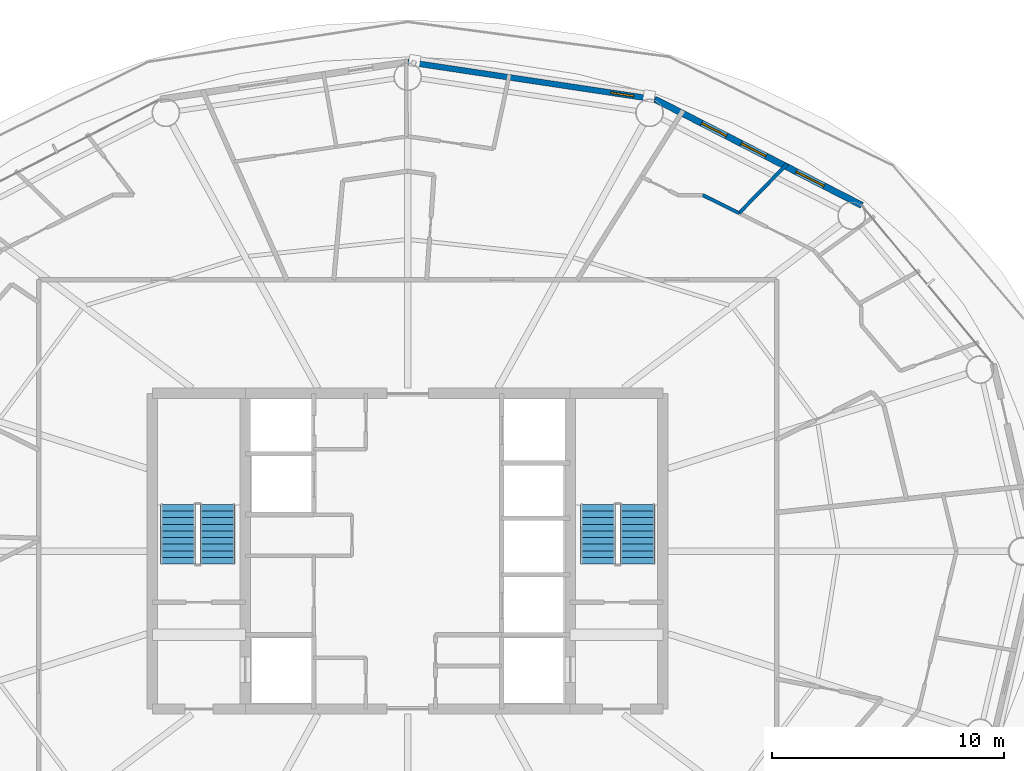
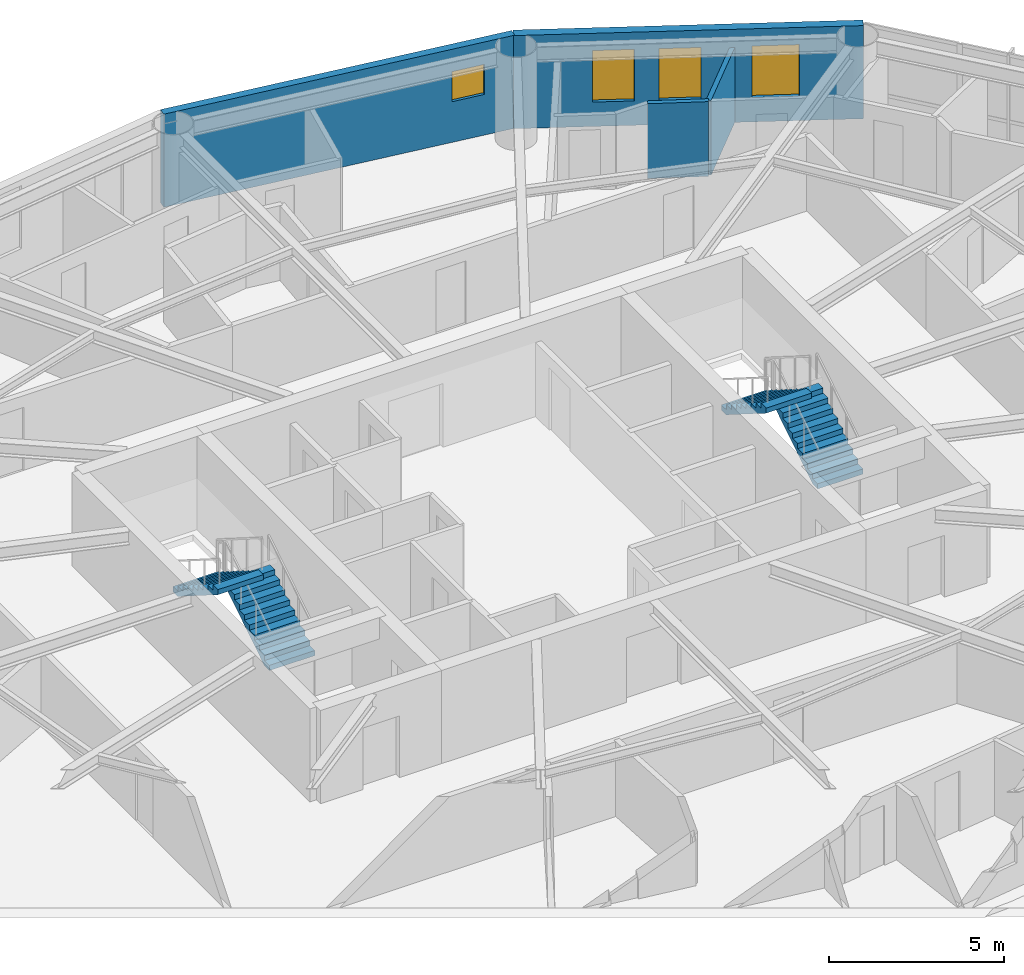
# One storey, part 25 of 28: 4 stair flights, 4 walls, 4 windows, 4 openings, 2 elements without a shape of their own.
"""IFC4 building model written with IfcOpenShell, lengths in metres."""

from ifc_helpers import new_model, si_unit, direction, frame, frame_2d, origin, place, context, subcontext, project, spatial, polyline, rectangle, outline, extrude, material, layer, layer_set, type_object, element, fill, aggregate, save


model = new_model("IFC4")

# Units and contexts
model_context = context("Model", 3, precision=1e-05, world=origin(), true_north=direction((0.0, 1.0)))
body_context = subcontext(model_context, "Body", "Model", "MODEL_VIEW")
ifc_project = project(units=[si_unit("LENGTHUNIT", "METRE"), si_unit("AREAUNIT", "SQUARE_METRE"), si_unit("VOLUMEUNIT", "CUBIC_METRE"), si_unit("PLANEANGLEUNIT", "RADIAN"), si_unit("MASSUNIT", "GRAM", prefix="KILO")], contexts=[model_context])

# Site, building, storey
site_placement = place(None, origin())
site = spatial("IfcSite", under=ifc_project, at=site_placement, CompositionType="ELEMENT")
building_placement = place(site_placement, origin())
building = spatial("IfcBuilding", under=site, at=building_placement, Name="Sarneth Arch Tower", CompositionType="ELEMENT")
storey_placement = place(building_placement, frame((0.0, 0.0, 197.39990234375)))
storey = spatial("IfcBuildingStorey", under=building, at=storey_placement, Name="L50", CompositionType="ELEMENT", Elevation=197.39990234375)

# Wall, opening, window
ifc_material_1 = material(Name="Extruded terracotta rainscreen on Concrete C40/50 backing", Category="masonry")
ifc_layer_1 = layer(ifc_material_1, 0.25)
ifc_layer_set_1 = layer_set([ifc_layer_1], Name="Extruded terracotta rainscreen on Concrete C40/50 backing")
wall_type_1 = type_object("IfcWallType", Name="WALL-EXT-SPAND-250", PredefinedType="SOLIDWALL", material=ifc_layer_set_1)
wall_1_placement = place(storey_placement, frame((58.662841796875, 61.475341796875, 0.0), z_axis=(0.0, 0.0, 1.0), x_axis=(-0.988863993413, 0.148822049884, 0.0)))
wall_1 = element("IfcWall", 1, at=wall_1_placement, inside=storey, type_object=wall_type_1, Name="L50 Terracotta perimeter wall 04", PredefinedType="SOLIDWALL", context=body_context, shape_type="SweptSolid", body=[
    extrude(rectangle(XDim=10.782958984375, YDim=0.25, at=frame_2d((5.3916015625, 0.0))), origin(), (0.0, 0.0, 1.0), 3.25),
])
opening_1_placement = place(wall_1_placement, frame((0.931640625, 0.0, 1.419921875)))
opening_1 = element("IfcOpeningElement", 2, at=opening_1_placement, cuts=wall_1, Name="Opening W-14", PredefinedType="OPENING", context=body_context, shape_type="SweptSolid", body=[
    extrude(rectangle(XDim=1.0, YDim=1.050048828125, at=frame_2d((0.5, 0.52490234375))), frame((0.0, 0.135009765625, 0.0), z_axis=(0.0, -1.0, 0.0), x_axis=(1.0, 0.0, 0.0)), (0.0, 0.0, 1.0), 0.27001953125),
])
ifc_material_2 = material(Name="Thermally broken Aluminium 6063-T6 and low-e laminated IGU", Category="aluminium")
window_type_1 = type_object("IfcWindowType", Name="WIN-TWR-1000x1050", PartitioningType="SINGLE_PANEL", PredefinedType="WINDOW", material=ifc_material_2)
window_1_placement = place(opening_1_placement, origin())
window_1 = element("IfcWindow", 3, at=window_1_placement, inside=storey, type_object=window_type_1, Name="L50 Dwelling bedroom window 01", OverallHeight=1.050048828125, OverallWidth=1.0, PartitioningType="SINGLE_PANEL", PredefinedType="WINDOW", context=body_context, shape_type="SweptSolid", body=[
    extrude(rectangle(XDim=1.0, YDim=1.050048828125, at=frame_2d((0.5, 0.52490234375))), frame((0.0, 0.030029296875, 0.0), z_axis=(0.0, -1.0, 0.0), x_axis=(1.0, 0.0, 0.0)), (0.0, 0.0, 1.0), 0.06005859375),
])
fill(opening_1, window_1)

# Wall, openings, windows
ifc_material_3 = material(Name="Extruded terracotta rainscreen on Concrete C40/50 backing", Category="masonry")
ifc_layer_2 = layer(ifc_material_3, 0.280029296875)
ifc_layer_set_2 = layer_set([ifc_layer_2], Name="Extruded terracotta rainscreen on Concrete C40/50 backing")
wall_type_2 = type_object("IfcWallType", Name="WALL-EXT-TERRA-280", PredefinedType="SOLIDWALL", material=ifc_layer_set_2)
wall_2_placement = place(storey_placement, frame((67.576171875, 56.90576171875, 0.0), z_axis=(0.0, 0.0, 1.0), x_axis=(-0.889872523182, 0.456209263919, 0.0)))
wall_2 = element("IfcWall", 4, at=wall_2_placement, inside=storey, type_object=wall_type_2, Name="L50 Terracotta perimeter wall 03", PredefinedType="SOLIDWALL", context=body_context, shape_type="SweptSolid", body=[
    extrude(rectangle(XDim=10.016357421875, YDim=0.280029296875, at=frame_2d((5.00830078125, 0.0))), origin(), (0.0, 0.0, 1.0), 3.25),
])
opening_2_placement = place(wall_2_placement, frame((1.83544921875, 0.0, 0.85009765625)))
opening_2 = element("IfcOpeningElement", 5, at=opening_2_placement, cuts=wall_2, Name="Opening W-08", PredefinedType="OPENING", context=body_context, shape_type="SweptSolid", body=[
    extrude(rectangle(XDim=1.35009765625, YDim=1.800048828125, at=frame_2d((0.675048828125, 0.89990234375))), frame((0.0, 0.14990234375, 0.0), z_axis=(0.0, -1.0, 0.0), x_axis=(1.0, 0.0, 0.0)), (0.0, 0.0, 1.0), 0.300048828125),
])
opening_3_placement = place(wall_2_placement, frame((4.64501953125, 0.0, 0.85009765625)))
opening_3 = element("IfcOpeningElement", 6, at=opening_3_placement, cuts=wall_2, Name="Opening W-09", PredefinedType="OPENING", context=body_context, shape_type="SweptSolid", body=[
    extrude(rectangle(XDim=1.199951171875, YDim=1.800048828125, at=frame_2d((0.60009765625, 0.89990234375))), frame((0.0, 0.14990234375, 0.0), z_axis=(0.0, -1.0, 0.0), x_axis=(1.0, 0.0, 0.0)), (0.0, 0.0, 1.0), 0.300048828125),
])
opening_4_placement = place(wall_2_placement, frame((6.559326171875, 0.0, 0.85009765625)))
opening_4 = element("IfcOpeningElement", 7, at=opening_4_placement, cuts=wall_2, Name="Opening W-09", PredefinedType="OPENING", context=body_context, shape_type="SweptSolid", body=[
    extrude(rectangle(XDim=1.199951171875, YDim=1.800048828125, at=frame_2d((0.60009765625, 0.89990234375))), frame((0.0, 0.14990234375, 0.0), z_axis=(0.0, -1.0, 0.0), x_axis=(1.0, 0.0, 0.0)), (0.0, 0.0, 1.0), 0.300048828125),
])
ifc_material_4 = material(Name="Thermally broken Aluminium 6063-T6 and low-e laminated IGU", Category="aluminium")
window_type_2 = type_object("IfcWindowType", Name="WIN-TWR-1200x1800", PartitioningType="SINGLE_PANEL", PredefinedType="WINDOW", material=ifc_material_4)
window_2_placement = place(opening_3_placement, origin())
window_2 = element("IfcWindow", 8, at=window_2_placement, inside=storey, type_object=window_type_2, Name="L50 Exterior window 03B", OverallHeight=1.800048828125, OverallWidth=1.199951171875, PartitioningType="SINGLE_PANEL", PredefinedType="WINDOW", context=body_context, shape_type="SweptSolid", body=[
    extrude(rectangle(XDim=1.199951171875, YDim=1.800048828125, at=frame_2d((0.60009765625, 0.89990234375))), frame((0.0, 0.030029296875, 0.0), z_axis=(0.0, -1.0, 0.0), x_axis=(1.0, 0.0, 0.0)), (0.0, 0.0, 1.0), 0.06005859375),
])
fill(opening_3, window_2)
window_3_placement = place(opening_4_placement, origin())
window_3 = element("IfcWindow", 9, at=window_3_placement, inside=storey, type_object=window_type_2, Name="L50 Exterior window 03C", OverallHeight=1.800048828125, OverallWidth=1.199951171875, PartitioningType="SINGLE_PANEL", PredefinedType="WINDOW", context=body_context, shape_type="SweptSolid", body=[
    extrude(rectangle(XDim=1.199951171875, YDim=1.800048828125, at=frame_2d((0.60009765625, 0.89990234375))), frame((0.0, 0.030029296875, 0.0), z_axis=(0.0, -1.0, 0.0), x_axis=(1.0, 0.0, 0.0)), (0.0, 0.0, 1.0), 0.06005859375),
])
fill(opening_4, window_3)
ifc_material_5 = material(Name="Thermally broken Aluminium 6063-T6 and low-e laminated IGU", Category="aluminium")
window_type_3 = type_object("IfcWindowType", Name="WIN-TWR-1350x1800", PartitioningType="SINGLE_PANEL", PredefinedType="WINDOW", material=ifc_material_5)
window_4_placement = place(opening_2_placement, origin())
window_4 = element("IfcWindow", 10, at=window_4_placement, inside=storey, type_object=window_type_3, Name="L50 Exterior window 03A", OverallHeight=1.800048828125, OverallWidth=1.35009765625, PartitioningType="SINGLE_PANEL", PredefinedType="WINDOW", context=body_context, shape_type="SweptSolid", body=[
    extrude(rectangle(XDim=1.35009765625, YDim=1.800048828125, at=frame_2d((0.675048828125, 0.89990234375))), frame((0.0, 0.030029296875, 0.0), z_axis=(0.0, -1.0, 0.0), x_axis=(1.0, 0.0, 0.0)), (0.0, 0.0, 1.0), 0.06005859375),
])
fill(opening_2, window_4)

# Walls
ifc_material_6 = material(Name="Acoustic gypsum stud partition", Category="gypsum")
ifc_layer_3 = layer(ifc_material_6, 0.14990234375)
ifc_layer_set_3 = layer_set([ifc_layer_3], Name="Acoustic gypsum stud partition")
wall_type_3 = type_object("IfcWallType", Name="WALL-PART-150", PredefinedType="PARTITIONING", material=ifc_layer_set_3)
wall_3_placement = place(storey_placement, frame((64.35302734375, 58.68701171875, 0.0), z_axis=(0.0, 0.0, 1.0), x_axis=(-0.699905055024, -0.714235895172, 0.0)))
element("IfcWall", 11, at=wall_3_placement, inside=storey, type_object=wall_type_3, Name="L50 Interior partition W-L50-TP-039", PredefinedType="PARTITIONING", context=body_context, shape_type="SweptSolid", body=[
    extrude(rectangle(XDim=2.96435546875, YDim=0.14990234375, at=frame_2d((1.482177734375, 0.0))), origin(), (0.0, 0.0, 1.0), 2.610107421875),
])
wall_4_placement = place(storey_placement, frame((62.2783203125, 56.56982421875, 0.0), z_axis=(0.0, 0.0, 1.0), x_axis=(-0.894929238491, 0.446208088333, 0.0)))
element("IfcWall", 12, at=wall_4_placement, inside=storey, type_object=wall_type_3, Name="L50 Interior partition W-L50-TP-030", PredefinedType="PARTITIONING", context=body_context, shape_type="SweptSolid", body=[
    extrude(rectangle(XDim=1.748779296875, YDim=0.14990234375, at=frame_2d((0.87451171875, 0.0))), origin(), (0.0, 0.0, 1.0), 2.610107421875),
])

# Stair, stair flights
ifc_material_7 = material(Name="Concrete C50/60", Category="concrete")
stair_type = type_object("IfcStairType", Name="STAIR-CORE-RC", PredefinedType="HALF_TURN_STAIR", material=ifc_material_7)
stair_1_placement = place(storey_placement, origin())
stair_1 = element("IfcStair", 13, at=stair_1_placement, inside=storey, type_object=stair_type, Name="L50 Core Exit Stair 1", PredefinedType="HALF_TURN_STAIR")
ifc_material_8 = material(Name="Concrete C50/60", Category="concrete")
stair_flight_type = type_object("IfcStairFlightType", Name="FLIGHT-RC-1500", PredefinedType="STRAIGHT", material=ifc_material_8)
stair_flight_1_placement = place(storey_placement, frame((39.800048828125, 41.449951171875, 0.0), z_axis=(0.0, 0.0, 1.0), x_axis=(0.0, 1.0, 0.0)))
stair_flight_1 = element("IfcStairFlight", 14, at=stair_flight_1_placement, type_object=stair_flight_type, Name="ST-1 flight 1", NumberOfRisers=10, NumberOfTreads=9, PredefinedType="STRAIGHT", RiserHeight=0.18, TreadLength=0.285, context=body_context, shape_type="SweptSolid", body=[
    extrude(outline(polyline([(0.0, 0.0), (0.0, 0.179931640625), (0.284912109375, 0.179931640625), (0.284912109375, 0.360107421875), (0.570068359375, 0.360107421875), (0.570068359375, 0.5400390625), (0.85498046875, 0.5400390625), (0.85498046875, 0.719970703125), (1.139892578125, 0.719970703125), (1.139892578125, 0.89990234375), (1.425048828125, 0.89990234375), (1.425048828125, 1.080078125), (1.7099609375, 1.080078125), (1.7099609375, 1.260009765625), (1.9951171875, 1.260009765625), (1.9951171875, 1.43994140625), (2.280029296875, 1.43994140625), (2.280029296875, 1.6201171875), (2.56494140625, 1.6201171875), (2.56494140625, 1.800048828125), (2.56494140625, 1.442626953125), (0.28076171875, 0.0), (0.0, 0.0)])), frame((0.0, 0.75, 0.0), z_axis=(0.0, -1.0, 0.0), x_axis=(1.0, 0.0, 0.0)), (0.0, 0.0, 1.0), 1.5),
])
stair_flight_2_placement = place(storey_placement, frame((38.10009765625, 44.014892578125, 1.800048828125), z_axis=(0.0, 0.0, 1.0), x_axis=(0.0, -1.0, 0.0)))
stair_flight_2 = element("IfcStairFlight", 15, at=stair_flight_2_placement, type_object=stair_flight_type, Name="ST-1 flight 2", NumberOfRisers=10, NumberOfTreads=9, PredefinedType="STRAIGHT", RiserHeight=0.18, TreadLength=0.285, context=body_context, shape_type="SweptSolid", body=[
    extrude(outline(polyline([(0.0, 0.0), (0.0, 0.179931640625), (0.284912109375, 0.179931640625), (0.284912109375, 0.360107421875), (0.570068359375, 0.360107421875), (0.570068359375, 0.5400390625), (0.85498046875, 0.5400390625), (0.85498046875, 0.719970703125), (1.139892578125, 0.719970703125), (1.139892578125, 0.89990234375), (1.425048828125, 0.89990234375), (1.425048828125, 1.080078125), (1.7099609375, 1.080078125), (1.7099609375, 1.260009765625), (1.9951171875, 1.260009765625), (1.9951171875, 1.43994140625), (2.280029296875, 1.43994140625), (2.280029296875, 1.6201171875), (2.56494140625, 1.6201171875), (2.56494140625, 1.800048828125), (2.56494140625, 1.442626953125), (0.28076171875, 0.0), (0.0, 0.0)])), frame((0.0, 0.75, 0.0), z_axis=(0.0, -1.0, 0.0), x_axis=(1.0, 0.0, 0.0)), (0.0, 0.0, 1.0), 1.5),
])
aggregate(stair_1, [stair_flight_1, stair_flight_2])

stair_2_placement = place(storey_placement, origin())
stair_2 = element("IfcStair", 16, at=stair_2_placement, inside=storey, type_object=stair_type, Name="L50 Core Exit Stair 2", PredefinedType="HALF_TURN_STAIR")
stair_flight_3_placement = place(storey_placement, frame((57.89990234375, 41.449951171875, 0.0), z_axis=(0.0, 0.0, 1.0), x_axis=(0.0, 1.0, 0.0)))
stair_flight_3 = element("IfcStairFlight", 17, at=stair_flight_3_placement, type_object=stair_flight_type, Name="ST-2 flight 1", NumberOfRisers=10, NumberOfTreads=9, PredefinedType="STRAIGHT", RiserHeight=0.18, TreadLength=0.285, context=body_context, shape_type="SweptSolid", body=[
    extrude(outline(polyline([(0.0, 0.0), (0.0, 0.179931640625), (0.284912109375, 0.179931640625), (0.284912109375, 0.360107421875), (0.570068359375, 0.360107421875), (0.570068359375, 0.5400390625), (0.85498046875, 0.5400390625), (0.85498046875, 0.719970703125), (1.139892578125, 0.719970703125), (1.139892578125, 0.89990234375), (1.425048828125, 0.89990234375), (1.425048828125, 1.080078125), (1.7099609375, 1.080078125), (1.7099609375, 1.260009765625), (1.9951171875, 1.260009765625), (1.9951171875, 1.43994140625), (2.280029296875, 1.43994140625), (2.280029296875, 1.6201171875), (2.56494140625, 1.6201171875), (2.56494140625, 1.800048828125), (2.56494140625, 1.442626953125), (0.28076171875, 0.0), (0.0, 0.0)])), frame((0.0, 0.75, 0.0), z_axis=(0.0, -1.0, 0.0), x_axis=(1.0, 0.0, 0.0)), (0.0, 0.0, 1.0), 1.5),
])
stair_flight_4_placement = place(storey_placement, frame((56.199951171875, 44.014892578125, 1.800048828125), z_axis=(0.0, 0.0, 1.0), x_axis=(0.0, -1.0, 0.0)))
stair_flight_4 = element("IfcStairFlight", 18, at=stair_flight_4_placement, type_object=stair_flight_type, Name="ST-2 flight 2", NumberOfRisers=10, NumberOfTreads=9, PredefinedType="STRAIGHT", RiserHeight=0.18, TreadLength=0.285, context=body_context, shape_type="SweptSolid", body=[
    extrude(outline(polyline([(0.0, 0.0), (0.0, 0.179931640625), (0.284912109375, 0.179931640625), (0.284912109375, 0.360107421875), (0.570068359375, 0.360107421875), (0.570068359375, 0.5400390625), (0.85498046875, 0.5400390625), (0.85498046875, 0.719970703125), (1.139892578125, 0.719970703125), (1.139892578125, 0.89990234375), (1.425048828125, 0.89990234375), (1.425048828125, 1.080078125), (1.7099609375, 1.080078125), (1.7099609375, 1.260009765625), (1.9951171875, 1.260009765625), (1.9951171875, 1.43994140625), (2.280029296875, 1.43994140625), (2.280029296875, 1.6201171875), (2.56494140625, 1.6201171875), (2.56494140625, 1.800048828125), (2.56494140625, 1.442626953125), (0.28076171875, 0.0), (0.0, 0.0)])), frame((0.0, 0.75, 0.0), z_axis=(0.0, -1.0, 0.0), x_axis=(1.0, 0.0, 0.0)), (0.0, 0.0, 1.0), 1.5),
])
aggregate(stair_2, [stair_flight_3, stair_flight_4])

save(model, "model.ifc")
